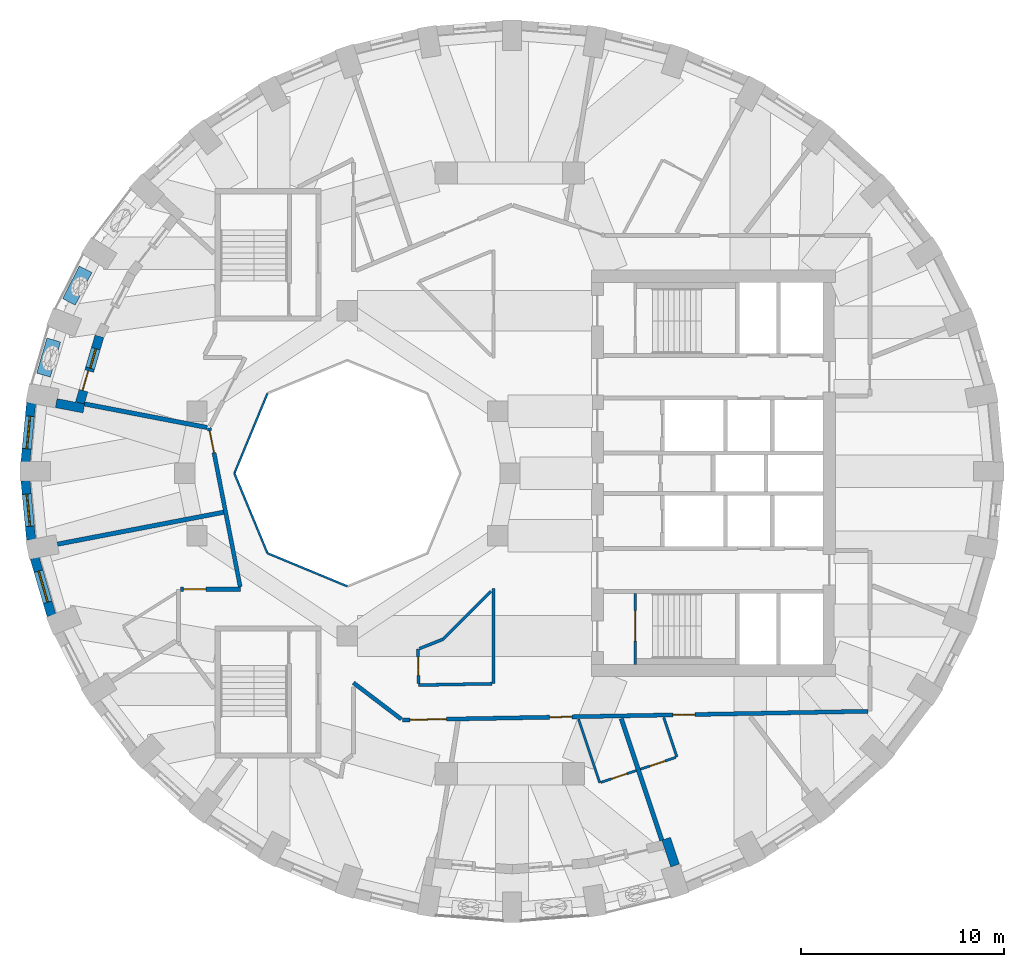
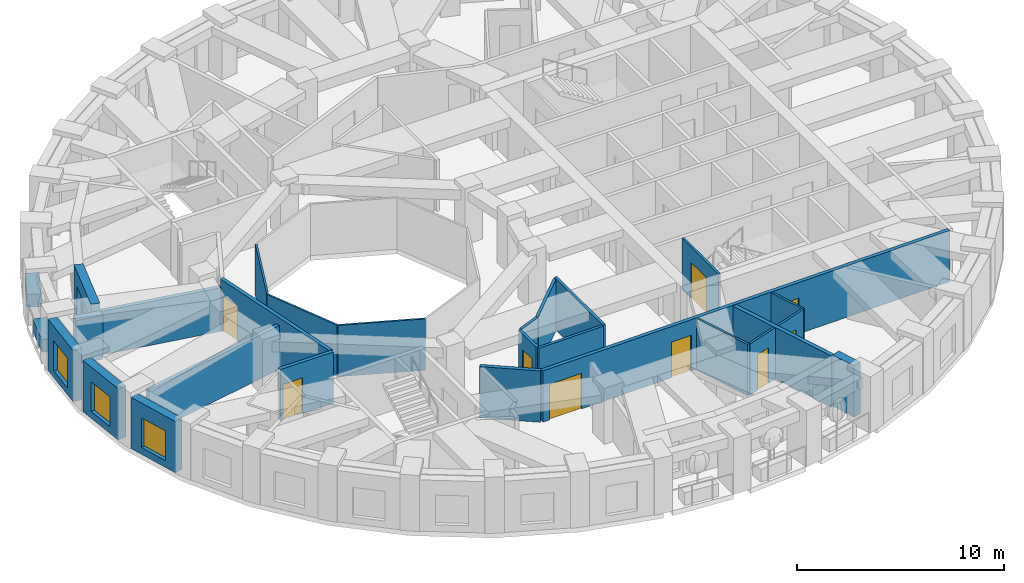
# One storey, part 4 of 11: 28 walls, 10 doors, 4 windows, 14 openings.
"""IFC4 building model written with IfcOpenShell, lengths in metres."""

from ifc_helpers import new_model, si_unit, direction, frame, frame_2d, origin, place, context, subcontext, project, spatial, rectangle, extrude, material, layer, layer_set, constituent, constituent_set, type_object, element, fill, save


model = new_model("IFC4")

# Units and contexts
model_context = context("Model", 3, precision=1e-05, world=origin(), true_north=direction((0.0, 1.0)))
body_context = subcontext(model_context, "Body", "Model", "MODEL_VIEW")
ifc_project = project(units=[si_unit("LENGTHUNIT", "METRE"), si_unit("AREAUNIT", "SQUARE_METRE"), si_unit("VOLUMEUNIT", "CUBIC_METRE"), si_unit("PLANEANGLEUNIT", "RADIAN"), si_unit("MASSUNIT", "GRAM", prefix="KILO")], contexts=[model_context])

# Site, building, storey
site_placement = place(None, origin())
site = spatial("IfcSite", under=ifc_project, at=site_placement, CompositionType="ELEMENT")
building_placement = place(site_placement, origin())
building = spatial("IfcBuilding", under=site, at=building_placement, Name="Taillehof Tower", CompositionType="ELEMENT")
storey_placement = place(building_placement, frame((0.0, 0.0, 158.300048828125)))
storey = spatial("IfcBuildingStorey", under=building, at=storey_placement, Name="L44", CompositionType="ELEMENT", Elevation=158.300048828125)

# Walls
ifc_material_1 = material(Name="Fire-resisting glass in steel frame", Category="steel")
ifc_layer_1 = layer(ifc_material_1, 0.10009765625)
ifc_layer_set_1 = layer_set([ifc_layer_1], Name="Atrium fire-resisting screen EI 60 100")
wall_type_1 = type_object("IfcWallType", Name="Atrium fire-resisting screen EI 60 100", PredefinedType="PARTITIONING", material=ifc_layer_set_1)
for number, where, z_axis, x_axis, name in (
    (1, (-8.0, -5.55419921875, 0.0), (0.0, 0.0, 1.0), (-0.923860025149, 0.382730523909, 0.0), "Atrium screen"),
    (2, (-11.92724609375, -3.92724609375, 0.0), (0.0, 0.0, 1.0), (-0.382730523909, 0.923860025149, 0.0), "Atrium screen"),
    (3, (-13.55419921875, 0.0, 0.0), (0.0, 0.0, 1.0), (0.382730523909, 0.923860025149, 0.0), "Atrium screen"),
):
    element("IfcWall", number, at=place(storey_placement, frame(where, z_axis=z_axis, x_axis=x_axis)), inside=storey, type_object=wall_type_1, Name=name, PredefinedType="PARTITIONING", context=body_context, shape_type="SweptSolid", body=[
        extrude(rectangle(XDim=4.2509765625, YDim=0.10009765625, at=frame_2d((2.12548828125, 0.0))), origin(), (0.0, 0.0, 1.0), 3.02001953125),
    ])

# Wall, opening, window
ifc_material_2 = material(Name="Brick masonry", Category="masonry")
ifc_layer_2 = layer(ifc_material_2, 0.449951171875)
ifc_layer_set_2 = layer_set([ifc_layer_2], Name="Brick infill wall 450")
wall_type_2 = type_object("IfcWallType", Name="Brick infill wall 450", PredefinedType="SOLIDWALL", material=ifc_layer_set_2)
wall_1_placement = place(storey_placement, frame((-23.5517578125, 3.468505859375, 0.0), z_axis=(0.0, 0.0, 1.0), x_axis=(-0.095265737322, -0.995451876935, 0.0)))
wall_1 = element("IfcWall", 4, at=wall_1_placement, inside=storey, type_object=wall_type_2, Name="Brick wall L44 bay 18", PredefinedType="SOLIDWALL", context=body_context, shape_type="SweptSolid", body=[
    extrude(rectangle(XDim=2.9267578125, YDim=0.449951171875, at=frame_2d((1.46337890625, 0.0))), origin(), (0.0, 0.0, 1.0), 3.02001953125),
])
opening_1_placement = place(wall_1_placement, frame((0.663330078125, 0.0, 0.39990234375)))
opening_1 = element("IfcOpeningElement", 5, at=opening_1_placement, cuts=wall_1, Name="Opening W3", PredefinedType="OPENING", context=body_context, shape_type="SweptSolid", body=[
    extrude(rectangle(XDim=1.60009765625, YDim=1.75, at=frame_2d((0.800048828125, 0.875))), frame((0.0, 0.23486328125, 0.0), z_axis=(0.0, -1.0, 0.0), x_axis=(1.0, 0.0, 0.0)), (0.0, 0.0, 1.0), 0.469970703125),
])
ifc_material_3 = material(Name="Aluminium window frame with clear double glazing", Category="aluminium")
window_type_1 = type_object("IfcWindowType", Name="Deep-set window 1600x1750", PartitioningType="SINGLE_PANEL", PredefinedType="WINDOW", material=ifc_material_3)
window_1_placement = place(opening_1_placement, origin())
window_1 = element("IfcWindow", 6, at=window_1_placement, inside=storey, type_object=window_type_1, Name="W3", OverallHeight=1.75, OverallWidth=1.60009765625, PartitioningType="SINGLE_PANEL", PredefinedType="WINDOW", context=body_context, shape_type="SweptSolid", body=[
    extrude(rectangle(XDim=1.60009765625, YDim=1.75, at=frame_2d((0.800048828125, 0.875))), frame((0.0, 0.034912109375, 0.0), z_axis=(0.0, -1.0, 0.0), x_axis=(1.0, 0.0, 0.0)), (0.0, 0.0, 1.0), 0.06005859375),
])
fill(opening_1, window_1)

wall_2_placement = place(storey_placement, frame((-23.83056640625, -0.35498046875, 0.0), z_axis=(0.0, 0.0, 1.0), x_axis=(0.095257827044, -0.995452633924, 0.0)))
wall_2 = element("IfcWall", 7, at=wall_2_placement, inside=storey, type_object=wall_type_2, Name="Brick wall L44 bay 19", PredefinedType="SOLIDWALL", context=body_context, shape_type="SweptSolid", body=[
    extrude(rectangle(XDim=2.927001953125, YDim=0.449951171875, at=frame_2d((1.46337890625, 0.0))), origin(), (0.0, 0.0, 1.0), 3.02001953125),
])
opening_2_placement = place(wall_2_placement, frame((0.663330078125, 0.0, 0.39990234375)))
opening_2 = element("IfcOpeningElement", 8, at=opening_2_placement, cuts=wall_2, Name="Opening W3", PredefinedType="OPENING", context=body_context, shape_type="SweptSolid", body=[
    extrude(rectangle(XDim=1.60009765625, YDim=1.75, at=frame_2d((0.800048828125, 0.875))), frame((0.0, 0.23486328125, 0.0), z_axis=(0.0, -1.0, 0.0), x_axis=(1.0, 0.0, 0.0)), (0.0, 0.0, 1.0), 0.469970703125),
])
window_2_placement = place(opening_2_placement, origin())
window_2 = element("IfcWindow", 9, at=window_2_placement, inside=storey, type_object=window_type_1, Name="W3", OverallHeight=1.75, OverallWidth=1.60009765625, PartitioningType="SINGLE_PANEL", PredefinedType="WINDOW", context=body_context, shape_type="SweptSolid", body=[
    extrude(rectangle(XDim=1.60009765625, YDim=1.75, at=frame_2d((0.800048828125, 0.875))), frame((0.0, 0.034912109375, 0.0), z_axis=(0.0, -1.0, 0.0), x_axis=(1.0, 0.0, 0.0)), (0.0, 0.0, 1.0), 0.06005859375),
])
fill(opening_2, window_2)

wall_3_placement = place(storey_placement, frame((-23.3798828125, -4.162353515625, 0.0), z_axis=(0.0, 0.0, 1.0), x_axis=(0.281125768296, -0.959670934435, 0.0)))
wall_3 = element("IfcWall", 10, at=wall_3_placement, inside=storey, type_object=wall_type_2, Name="Brick wall L44 bay 20", PredefinedType="SOLIDWALL", context=body_context, shape_type="SweptSolid", body=[
    extrude(rectangle(XDim=2.947509765625, YDim=0.449951171875, at=frame_2d((1.4736328125, 0.0))), origin(), (0.0, 0.0, 1.0), 3.02001953125),
])
opening_3_placement = place(wall_3_placement, frame((0.673583984375, 0.0, 0.39990234375)))
opening_3 = element("IfcOpeningElement", 11, at=opening_3_placement, cuts=wall_3, Name="Opening W3", PredefinedType="OPENING", context=body_context, shape_type="SweptSolid", body=[
    extrude(rectangle(XDim=1.60009765625, YDim=1.75, at=frame_2d((0.800048828125, 0.875))), frame((0.0, 0.23486328125, 0.0), z_axis=(0.0, -1.0, 0.0), x_axis=(1.0, 0.0, 0.0)), (0.0, 0.0, 1.0), 0.469970703125),
])
window_3_placement = place(opening_3_placement, origin())
window_3 = element("IfcWindow", 12, at=window_3_placement, inside=storey, type_object=window_type_1, Name="W3", OverallHeight=1.75, OverallWidth=1.60009765625, PartitioningType="SINGLE_PANEL", PredefinedType="WINDOW", context=body_context, shape_type="SweptSolid", body=[
    extrude(rectangle(XDim=1.60009765625, YDim=1.75, at=frame_2d((0.800048828125, 0.875))), frame((0.0, 0.034912109375, 0.0), z_axis=(0.0, -1.0, 0.0), x_axis=(1.0, 0.0, 0.0)), (0.0, 0.0, 1.0), 0.06005859375),
])
fill(opening_3, window_3)

# Walls
wall_4_placement = place(storey_placement, frame((8.12158203125, -19.286376953125, 0.0), z_axis=(0.0, 0.0, 1.0), x_axis=(-0.316649231286, 0.948542705589, 0.0)))
element("IfcWall", 13, at=wall_4_placement, inside=storey, type_object=wall_type_2, Name="Brick reveal L44 pocket 8", PredefinedType="SOLIDWALL", context=body_context, shape_type="SweptSolid", body=[
    extrude(rectangle(XDim=1.39013671875, YDim=0.449951171875, at=frame_2d((0.695068359375, 0.0))), origin(), (0.0, 0.0, 1.0), 3.02001953125),
])
wall_5_placement = place(storey_placement, frame((-22.321533203125, 3.45458984375, 0.0), z_axis=(0.0, 0.0, 1.0), x_axis=(0.982051513278, -0.188612897936, 0.0)))
element("IfcWall", 14, at=wall_5_placement, inside=storey, type_object=wall_type_2, Name="Brick reveal L44 pocket 4", PredefinedType="SOLIDWALL", context=body_context, shape_type="SweptSolid", body=[
    extrude(rectangle(XDim=1.39013671875, YDim=0.449951171875, at=frame_2d((0.695068359375, 0.0))), origin(), (0.0, 0.0, 1.0), 2.570068359375),
])

# Wall, openings, door, window
wall_6_placement = place(storey_placement, frame((-20.19384765625, 6.74462890625, 0.0), z_axis=(0.0, 0.0, 1.0), x_axis=(-0.280397139934, -0.959884078375, 0.0)))
wall_6 = element("IfcWall", 15, at=wall_6_placement, inside=storey, type_object=wall_type_2, Name="Brick wall L44 pocket bay 17", PredefinedType="SOLIDWALL", context=body_context, shape_type="SweptSolid", body=[
    extrude(rectangle(XDim=3.422607421875, YDim=0.449951171875, at=frame_2d((1.71142578125, 0.0))), origin(), (0.0, 0.0, 1.0), 3.02001953125),
])
opening_4_placement = place(wall_6_placement, frame((0.63623046875, 0.0, 0.39990234375)))
opening_4 = element("IfcOpeningElement", 16, at=opening_4_placement, cuts=wall_6, Name="Opening W5", PredefinedType="OPENING", context=body_context, shape_type="SweptSolid", body=[
    extrude(rectangle(XDim=1.0, YDim=1.75, at=frame_2d((0.5, 0.875))), frame((0.0, 0.23486328125, 0.0), z_axis=(0.0, -1.0, 0.0), x_axis=(1.0, 0.0, 0.0)), (0.0, 0.0, 1.0), 0.469970703125),
])
opening_5_placement = place(wall_6_placement, frame((1.786376953125, 0.0, 0.0)))
opening_5 = element("IfcOpeningElement", 17, at=opening_5_placement, cuts=wall_6, Name="Opening D4496", PredefinedType="OPENING", context=body_context, shape_type="SweptSolid", body=[
    extrude(rectangle(XDim=1.0, YDim=2.14990234375, at=frame_2d((0.5, 1.074951171875))), frame((0.0, 0.23486328125, 0.0), z_axis=(0.0, -1.0, 0.0), x_axis=(1.0, 0.0, 0.0)), (0.0, 0.0, 1.0), 0.469970703125),
])
ifc_material_4 = material(Name="Aluminium door frame with clear double glazing", Category="aluminium")
door_type_1 = type_object("IfcDoorType", Name="Balcony door 1000x2150", OperationType="SINGLE_SWING_RIGHT", PredefinedType="DOOR", material=ifc_material_4)
door_1_placement = place(opening_5_placement, frame((1.0, 0.0, 0.0), z_axis=(0.0, 0.0, 1.0), x_axis=(-1.0, 0.0, 0.0)))
door_1 = element("IfcDoor", 18, at=door_1_placement, inside=storey, type_object=door_type_1, Name="Balcony door L44 bay 17", OperationType="SINGLE_SWING_LEFT", OverallHeight=2.14990234375, OverallWidth=1.0, PredefinedType="DOOR", context=body_context, shape_type="SweptSolid", body=[
    extrude(rectangle(XDim=1.0, YDim=2.14990234375, at=frame_2d((0.5, 1.074951171875))), frame((0.0, 0.0751953125, 0.0), z_axis=(0.0, -1.0, 0.0), x_axis=(1.0, 0.0, 0.0)), (0.0, 0.0, 1.0), 0.050048828125),
])
fill(opening_5, door_1)
ifc_material_5 = material(Name="Aluminium window frame with clear double glazing", Category="aluminium")
window_type_2 = type_object("IfcWindowType", Name="Fixed window 1000x1750", PartitioningType="SINGLE_PANEL", PredefinedType="WINDOW", material=ifc_material_5)
window_4_placement = place(opening_4_placement, origin())
window_4 = element("IfcWindow", 19, at=window_4_placement, inside=storey, type_object=window_type_2, Name="W5", OverallHeight=1.75, OverallWidth=1.0, PartitioningType="SINGLE_PANEL", PredefinedType="WINDOW", context=body_context, shape_type="SweptSolid", body=[
    extrude(rectangle(XDim=1.0, YDim=1.75, at=frame_2d((0.5, 0.875))), frame((0.0, 0.034912109375, 0.0), z_axis=(0.0, -1.0, 0.0), x_axis=(1.0, 0.0, 0.0)), (0.0, 0.0, 1.0), 0.06005859375),
])
fill(opening_4, window_4)

# Wall, openings, doors
ifc_material_6 = material(Name="Gypsum board on steel studs, two layers each side", Category="steel")
ifc_layer_3 = layer(ifc_material_6, 0.199951171875)
ifc_layer_set_3 = layer_set([ifc_layer_3], Name="Compartment wall corridor 200")
wall_type_3 = type_object("IfcWallType", Name="Compartment wall corridor 200", PredefinedType="PARTITIONING", material=ifc_layer_set_3)
wall_7_placement = place(storey_placement, frame((17.599853515625, -11.702392578125, 0.0), z_axis=(0.0, 0.0, 1.0), x_axis=(-0.999825923551, -0.018658043723, 0.0)))
wall_7 = element("IfcWall", 20, at=wall_7_placement, inside=storey, type_object=wall_type_3, Name="Compartment wall", PredefinedType="PARTITIONING", context=body_context, shape_type="SweptSolid", body=[
    extrude(rectangle(XDim=22.898681640625, YDim=0.199951171875, at=frame_2d((11.44921875, 0.0))), origin(), (0.0, 0.0, 1.0), 3.02001953125),
])
opening_6_placement = place(wall_7_placement, frame((20.728759765625, 0.0, 0.0)))
opening_6 = element("IfcOpeningElement", 21, at=opening_6_placement, cuts=wall_7, Name="Opening D4451", PredefinedType="OPENING", context=body_context, shape_type="SweptSolid", body=[
    extrude(rectangle(XDim=1.800048828125, YDim=2.10009765625, at=frame_2d((0.89990234375, 1.050048828125))), frame((0.0, 0.10986328125, 0.0), z_axis=(0.0, -1.0, 0.0), x_axis=(1.0, 0.0, 0.0)), (0.0, 0.0, 1.0), 0.219970703125),
])
opening_7_placement = place(wall_7_placement, frame((14.55419921875, 0.0, 0.0)))
opening_7 = element("IfcOpeningElement", 22, at=opening_7_placement, cuts=wall_7, Name="Opening D4452", PredefinedType="OPENING", context=body_context, shape_type="SweptSolid", body=[
    extrude(rectangle(XDim=1.10009765625, YDim=2.10009765625, at=frame_2d((0.550048828125, 1.050048828125))), frame((0.0, 0.10986328125, 0.0), z_axis=(0.0, -1.0, 0.0), x_axis=(1.0, 0.0, 0.0)), (0.0, 0.0, 1.0), 0.219970703125),
])
opening_8_placement = place(wall_7_placement, frame((8.4912109375, 0.0, 0.0)))
opening_8 = element("IfcOpeningElement", 23, at=opening_8_placement, cuts=wall_7, Name="Opening D4454", PredefinedType="OPENING", context=body_context, shape_type="SweptSolid", body=[
    extrude(rectangle(XDim=1.10009765625, YDim=2.10009765625, at=frame_2d((0.550048828125, 1.050048828125))), frame((0.0, 0.10986328125, 0.0), z_axis=(0.0, -1.0, 0.0), x_axis=(1.0, 0.0, 0.0)), (0.0, 0.0, 1.0), 0.219970703125),
])
ifc_material_7 = material(Name="Timber door leaf in steel frame", Category="steel")
door_type_2 = type_object("IfcDoorType", Name="Lounge and meeting room double door EI 30 1800 x 2100", OperationType="SINGLE_SWING_LEFT", PredefinedType="DOOR", material=ifc_material_7)
door_2_placement = place(opening_6_placement, origin())
door_2 = element("IfcDoor", 24, at=door_2_placement, inside=storey, type_object=door_type_2, Name="D4451", OperationType="DOUBLE_DOOR_SINGLE_SWING", OverallHeight=2.10009765625, OverallWidth=1.800048828125, PredefinedType="DOOR", context=body_context, shape_type="SweptSolid", body=[
    extrude(rectangle(XDim=1.800048828125, YDim=2.10009765625, at=frame_2d((0.89990234375, 1.050048828125))), frame((0.0, 0.02490234375, 0.0), z_axis=(0.0, -1.0, 0.0), x_axis=(1.0, 0.0, 0.0)), (0.0, 0.0, 1.0), 0.050048828125),
])
fill(opening_6, door_2)
ifc_material_8 = material(Name="Timber door leaf in steel frame", Category="steel")
door_type_3 = type_object("IfcDoorType", Name="Suite entrance door EI 30 1100 x 2100", OperationType="SINGLE_SWING_LEFT", PredefinedType="DOOR", material=ifc_material_8)
door_3_placement = place(opening_7_placement, origin())
door_3 = element("IfcDoor", 25, at=door_3_placement, inside=storey, type_object=door_type_3, Name="D4452", OperationType="SINGLE_SWING_LEFT", OverallHeight=2.10009765625, OverallWidth=1.10009765625, PredefinedType="DOOR", context=body_context, shape_type="SweptSolid", body=[
    extrude(rectangle(XDim=1.10009765625, YDim=2.10009765625, at=frame_2d((0.550048828125, 1.050048828125))), frame((0.0, 0.02490234375, 0.0), z_axis=(0.0, -1.0, 0.0), x_axis=(1.0, 0.0, 0.0)), (0.0, 0.0, 1.0), 0.050048828125),
])
fill(opening_7, door_3)
door_4_placement = place(opening_8_placement, origin())
door_4 = element("IfcDoor", 26, at=door_4_placement, inside=storey, type_object=door_type_3, Name="D4454", OperationType="SINGLE_SWING_RIGHT", OverallHeight=2.10009765625, OverallWidth=1.10009765625, PredefinedType="DOOR", context=body_context, shape_type="SweptSolid", body=[
    extrude(rectangle(XDim=1.10009765625, YDim=2.10009765625, at=frame_2d((0.550048828125, 1.050048828125))), frame((0.0, 0.02490234375, 0.0), z_axis=(0.0, -1.0, 0.0), x_axis=(1.0, 0.0, 0.0)), (0.0, 0.0, 1.0), 0.050048828125),
])
fill(opening_8, door_4)

# Wall
wall_8_placement = place(storey_placement, frame((-5.342529296875, -12.093017578125, 0.0), z_axis=(0.0, 0.0, 1.0), x_axis=(-0.796104996328, 0.605158520407, 0.0)))
element("IfcWall", 27, at=wall_8_placement, inside=storey, type_object=wall_type_3, Name="Compartment wall", PredefinedType="PARTITIONING", context=body_context, shape_type="SweptSolid", body=[
    extrude(rectangle(XDim=2.961181640625, YDim=0.199951171875, at=frame_2d((1.48046875, 0.0))), origin(), (0.0, 0.0, 1.0), 3.02001953125),
])

# Wall, opening, door
wall_9_placement = place(storey_placement, frame((-16.199951171875, -5.699951171875, 0.0), z_axis=(0.0, 0.0, 1.0), x_axis=(1.0, 0.0, 0.0)))
wall_9 = element("IfcWall", 28, at=wall_9_placement, inside=storey, type_object=wall_type_3, Name="Compartment wall", PredefinedType="PARTITIONING", context=body_context, shape_type="SweptSolid", body=[
    extrude(rectangle(XDim=2.955322265625, YDim=0.199951171875, at=frame_2d((1.4775390625, 0.0))), origin(), (0.0, 0.0, 1.0), 3.02001953125),
])
opening_9_placement = place(wall_9_placement, frame((0.139892578125, 0.0, 0.0)))
opening_9 = element("IfcOpeningElement", 29, at=opening_9_placement, cuts=wall_9, Name="Opening D4448", PredefinedType="OPENING", context=body_context, shape_type="SweptSolid", body=[
    extrude(rectangle(XDim=1.10009765625, YDim=2.10009765625, at=frame_2d((0.550048828125, 1.050048828125))), frame((0.0, 0.10986328125, 0.0), z_axis=(0.0, -1.0, 0.0), x_axis=(1.0, 0.0, 0.0)), (0.0, 0.0, 1.0), 0.219970703125),
])
door_5_placement = place(opening_9_placement, origin())
door_5 = element("IfcDoor", 30, at=door_5_placement, inside=storey, type_object=door_type_3, Name="D4448", OperationType="SINGLE_SWING_RIGHT", OverallHeight=2.10009765625, OverallWidth=1.10009765625, PredefinedType="DOOR", context=body_context, shape_type="SweptSolid", body=[
    extrude(rectangle(XDim=1.10009765625, YDim=2.10009765625, at=frame_2d((0.550048828125, 1.050048828125))), frame((0.0, 0.02490234375, 0.0), z_axis=(0.0, -1.0, 0.0), x_axis=(1.0, 0.0, 0.0)), (0.0, 0.0, 1.0), 0.050048828125),
])
fill(opening_9, door_5)

wall_10_placement = place(storey_placement, frame((-13.26806640625, -5.582763671875, 0.0), z_axis=(0.0, 0.0, 1.0), x_axis=(-0.191747927029, 0.981444207523, 0.0)))
wall_10 = element("IfcWall", 31, at=wall_10_placement, inside=storey, type_object=wall_type_3, Name="Compartment wall", PredefinedType="PARTITIONING", context=body_context, shape_type="SweptSolid", body=[
    extrude(rectangle(XDim=7.968017578125, YDim=0.199951171875, at=frame_2d((3.98388671875, 0.0))), origin(), (0.0, 0.0, 1.0), 3.02001953125),
])
opening_10_placement = place(wall_10_placement, frame((6.72802734375, 0.0, 0.0)))
opening_10 = element("IfcOpeningElement", 32, at=opening_10_placement, cuts=wall_10, Name="Opening D4447", PredefinedType="OPENING", context=body_context, shape_type="SweptSolid", body=[
    extrude(rectangle(XDim=1.10009765625, YDim=2.10009765625, at=frame_2d((0.550048828125, 1.050048828125))), frame((0.0, 0.10986328125, 0.0), z_axis=(0.0, -1.0, 0.0), x_axis=(1.0, 0.0, 0.0)), (0.0, 0.0, 1.0), 0.219970703125),
])
door_6_placement = place(opening_10_placement, origin())
door_6 = element("IfcDoor", 33, at=door_6_placement, inside=storey, type_object=door_type_3, Name="D4447", OperationType="SINGLE_SWING_RIGHT", OverallHeight=2.10009765625, OverallWidth=1.10009765625, PredefinedType="DOOR", context=body_context, shape_type="SweptSolid", body=[
    extrude(rectangle(XDim=1.10009765625, YDim=2.10009765625, at=frame_2d((0.550048828125, 1.050048828125))), frame((0.0, 0.02490234375, 0.0), z_axis=(0.0, -1.0, 0.0), x_axis=(1.0, 0.0, 0.0)), (0.0, 0.0, 1.0), 0.050048828125),
])
fill(opening_10, door_6)

# Walls
ifc_material_9 = material(Name="Gypsum board on double steel studs with mineral wool", Category="steel")
ifc_layer_4 = layer(ifc_material_9, 0.219970703125)
ifc_layer_set_4 = layer_set([ifc_layer_4], Name="Compartment wall guest room 220")
wall_type_4 = type_object("IfcWallType", Name="Compartment wall guest room 220", PredefinedType="PARTITIONING", material=ifc_layer_set_4)
wall_11_placement = place(storey_placement, frame((-20.931640625, 3.416748046875, 0.0), z_axis=(0.0, 0.0, 1.0), x_axis=(0.9820075798, -0.188841502892, 0.0)))
element("IfcWall", 34, at=wall_11_placement, inside=storey, type_object=wall_type_4, Name="Compartment wall", PredefinedType="PARTITIONING", context=body_context, shape_type="SweptSolid", body=[
    extrude(rectangle(XDim=6.148681640625, YDim=0.219970703125, at=frame_2d((3.07421875, 0.0))), origin(), (0.0, 0.0, 1.0), 2.570068359375),
])
wall_12_placement = place(storey_placement, frame((-22.25732421875, -3.483154296875, 0.0), z_axis=(0.0, 0.0, 1.0), x_axis=(0.982022559039, 0.188763591666, 0.0)))
element("IfcWall", 35, at=wall_12_placement, inside=storey, type_object=wall_type_4, Name="Compartment wall", PredefinedType="PARTITIONING", context=body_context, shape_type="SweptSolid", body=[
    extrude(rectangle(XDim=8.3203125, YDim=0.219970703125, at=frame_2d((4.16015625, 0.0))), origin(), (0.0, 0.0, 1.0), 2.570068359375),
])
wall_13_placement = place(storey_placement, frame((7.473876953125, -18.056396484375, 0.0), z_axis=(0.0, 0.0, 1.0), x_axis=(-0.316714858998, 0.948520794759, 0.0)))
element("IfcWall", 36, at=wall_13_placement, inside=storey, type_object=wall_type_4, Name="Compartment wall", PredefinedType="PARTITIONING", context=body_context, shape_type="SweptSolid", body=[
    extrude(rectangle(XDim=6.31494140625, YDim=0.219970703125, at=frame_2d((3.157470703125, 0.0))), origin(), (0.0, 0.0, 1.0), 3.02001953125),
])
ifc_material_10 = material(Name="Gypsum board on steel studs, two layers each side", Category="steel")
ifc_layer_5 = layer(ifc_material_10, 0.14990234375)
ifc_layer_set_5 = layer_set([ifc_layer_5], Name="Compartment wall service room 150")
wall_type_5 = type_object("IfcWallType", Name="Compartment wall service room 150", PredefinedType="PARTITIONING", material=ifc_layer_set_5)
wall_14_placement = place(storey_placement, frame((-0.800048828125, -5.66943359375, 0.0), z_axis=(0.0, 0.0, 1.0), x_axis=(0.0, -1.0, 0.0)))
element("IfcWall", 37, at=wall_14_placement, inside=storey, type_object=wall_type_5, Name="Compartment wall", PredefinedType="PARTITIONING", context=body_context, shape_type="SweptSolid", body=[
    extrude(rectangle(XDim=4.67578125, YDim=0.14990234375, at=frame_2d((2.337890625, 0.0))), origin(), (0.0, 0.0, 1.0), 3.02001953125),
])
wall_15_placement = place(storey_placement, frame((-0.880126953125, -10.34716796875, 0.0), z_axis=(0.0, 0.0, 1.0), x_axis=(-0.999826791681, -0.018611465199, 0.0)))
element("IfcWall", 38, at=wall_15_placement, inside=storey, type_object=wall_type_5, Name="Compartment wall", PredefinedType="PARTITIONING", context=body_context, shape_type="SweptSolid", body=[
    extrude(rectangle(XDim=3.62060546875, YDim=0.14990234375, at=frame_2d((1.810302734375, 0.0))), origin(), (0.0, 0.0, 1.0), 3.02001953125),
])

# Wall, opening, door
wall_16_placement = place(storey_placement, frame((-4.5009765625, -10.33447265625, 0.0), z_axis=(0.0, 0.0, 1.0), x_axis=(-0.015785981736, 0.999875393627, 0.0)))
wall_16 = element("IfcWall", 39, at=wall_16_placement, inside=storey, type_object=wall_type_5, Name="Compartment wall", PredefinedType="PARTITIONING", context=body_context, shape_type="SweptSolid", body=[
    extrude(rectangle(XDim=1.685791015625, YDim=0.14990234375, at=frame_2d((0.8427734375, 0.0))), origin(), (0.0, 0.0, 1.0), 3.02001953125),
])
opening_11_placement = place(wall_16_placement, frame((0.392822265625, 0.0, 0.0)))
opening_11 = element("IfcOpeningElement", 40, at=opening_11_placement, cuts=wall_16, Name="Opening D4460", PredefinedType="OPENING", context=body_context, shape_type="SweptSolid", body=[
    extrude(rectangle(XDim=0.89990234375, YDim=2.10009765625, at=frame_2d((0.449951171875, 1.050048828125))), frame((0.0, 0.0849609375, 0.0), z_axis=(0.0, -1.0, 0.0), x_axis=(1.0, 0.0, 0.0)), (0.0, 0.0, 1.0), 0.169921875),
])
ifc_material_11 = material(Name="Timber door leaf in steel frame", Category="steel")
door_type_4 = type_object("IfcDoorType", Name="Service room door EI 30 900 x 2100", OperationType="SINGLE_SWING_LEFT", PredefinedType="DOOR", material=ifc_material_11)
door_7_placement = place(opening_11_placement, origin())
door_7 = element("IfcDoor", 41, at=door_7_placement, inside=storey, type_object=door_type_4, Name="D4460", OperationType="SINGLE_SWING_LEFT", OverallHeight=2.10009765625, OverallWidth=0.89990234375, PredefinedType="DOOR", context=body_context, shape_type="SweptSolid", body=[
    extrude(rectangle(XDim=0.89990234375, YDim=2.10009765625, at=frame_2d((0.449951171875, 1.050048828125))), frame((0.0, 0.02490234375, 0.0), z_axis=(0.0, -1.0, 0.0), x_axis=(1.0, 0.0, 0.0)), (0.0, 0.0, 1.0), 0.050048828125),
])
fill(opening_11, door_7)

# Walls
wall_17_placement = place(storey_placement, frame((-4.453369140625, -8.61962890625, 0.0), z_axis=(0.0, 0.0, 1.0), x_axis=(0.929802441214, 0.36805899026, 0.0)))
element("IfcWall", 42, at=wall_17_placement, inside=storey, type_object=wall_type_5, Name="Compartment wall", PredefinedType="PARTITIONING", context=body_context, shape_type="SweptSolid", body=[
    extrude(rectangle(XDim=1.251708984375, YDim=0.14990234375, at=frame_2d((0.6259765625, 0.0))), origin(), (0.0, 0.0, 1.0), 3.02001953125),
])
wall_18_placement = place(storey_placement, frame((-3.275390625, -8.144775390625, 0.0), z_axis=(0.0, 0.0, 1.0), x_axis=(0.707106781187, 0.707106781187, 0.0)))
element("IfcWall", 43, at=wall_18_placement, inside=storey, type_object=wall_type_5, Name="Compartment wall", PredefinedType="PARTITIONING", context=body_context, shape_type="SweptSolid", body=[
    extrude(rectangle(XDim=3.3203125, YDim=0.14990234375, at=frame_2d((1.66015625, 0.0))), origin(), (0.0, 0.0, 1.0), 3.02001953125),
])
ifc_material_12 = material(Name="Gypsum board on steel studs, moisture resistant", Category="steel")
ifc_layer_6 = layer(ifc_material_12, 0.1201171875)
ifc_layer_set_6 = layer_set([ifc_layer_6], Name="En-suite wall 120")
wall_type_6 = type_object("IfcWallType", Name="En-suite wall 120", PredefinedType="PARTITIONING", material=ifc_layer_set_6)
wall_19_placement = place(storey_placement, frame((3.3720703125, -12.0869140625, 0.0), z_axis=(0.0, 0.0, 1.0), x_axis=(0.316715775564, -0.948520488713, 0.0)))
element("IfcWall", 44, at=wall_19_placement, inside=storey, type_object=wall_type_6, Name="En-suite wall", PredefinedType="PARTITIONING", context=body_context, shape_type="SweptSolid", body=[
    extrude(rectangle(XDim=3.301513671875, YDim=0.1201171875, at=frame_2d((1.65087890625, 0.0))), origin(), (0.0, 0.0, 1.0), 3.02001953125),
])
wall_20_placement = place(storey_placement, frame((7.56298828125, -12.008544921875, 0.0), z_axis=(0.0, 0.0, 1.0), x_axis=(0.316763997654, -0.948504385752, 0.0)))
element("IfcWall", 45, at=wall_20_placement, inside=storey, type_object=wall_type_6, Name="En-suite wall", PredefinedType="PARTITIONING", context=body_context, shape_type="SweptSolid", body=[
    extrude(rectangle(XDim=2.048583984375, YDim=0.1201171875, at=frame_2d((1.0244140625, 0.0))), origin(), (0.0, 0.0, 1.0), 3.02001953125),
])

# Wall, opening, door
wall_21_placement = place(storey_placement, frame((4.474853515625, -15.199462890625, 0.0), z_axis=(0.0, 0.0, 1.0), x_axis=(0.948549784176, 0.316628026143, 0.0)))
wall_21 = element("IfcWall", 46, at=wall_21_placement, inside=storey, type_object=wall_type_6, Name="En-suite wall", PredefinedType="PARTITIONING", context=body_context, shape_type="SweptSolid", body=[
    extrude(rectangle(XDim=1.829833984375, YDim=0.1201171875, at=frame_2d((0.9150390625, 0.0))), origin(), (0.0, 0.0, 1.0), 3.02001953125),
])
opening_12_placement = place(wall_21_placement, frame((0.539794921875, 0.0, 0.0)))
opening_12 = element("IfcOpeningElement", 47, at=opening_12_placement, cuts=wall_21, Name="Opening D4453", PredefinedType="OPENING", context=body_context, shape_type="SweptSolid", body=[
    extrude(rectangle(XDim=0.800048828125, YDim=2.10009765625, at=frame_2d((0.39990234375, 1.050048828125))), frame((0.0, 0.070068359375, 0.0), z_axis=(0.0, -1.0, 0.0), x_axis=(1.0, 0.0, 0.0)), (0.0, 0.0, 1.0), 0.14013671875),
])
ifc_material_13 = material(Name="Timber door leaf in steel frame", Category="steel")
door_type_5 = type_object("IfcDoorType", Name="En-suite door 800 x 2100", OperationType="SINGLE_SWING_LEFT", PredefinedType="DOOR", material=ifc_material_13)
door_8_placement = place(opening_12_placement, origin())
door_8 = element("IfcDoor", 48, at=door_8_placement, inside=storey, type_object=door_type_5, Name="D4453", OperationType="SINGLE_SWING_LEFT", OverallHeight=2.10009765625, OverallWidth=0.800048828125, PredefinedType="DOOR", context=body_context, shape_type="SweptSolid", body=[
    extrude(rectangle(XDim=0.800048828125, YDim=2.10009765625, at=frame_2d((0.39990234375, 1.050048828125))), frame((0.0, 0.02490234375, 0.0), z_axis=(0.0, -1.0, 0.0), x_axis=(1.0, 0.0, 0.0)), (0.0, 0.0, 1.0), 0.050048828125),
])
fill(opening_12, door_8)

wall_22_placement = place(storey_placement, frame((8.155029296875, -13.970703125, 0.0), z_axis=(0.0, 0.0, 1.0), x_axis=(-0.9485230882, -0.31670799035, 0.0)))
wall_22 = element("IfcWall", 49, at=wall_22_placement, inside=storey, type_object=wall_type_6, Name="En-suite wall", PredefinedType="PARTITIONING", context=body_context, shape_type="SweptSolid", body=[
    extrude(rectangle(XDim=1.830078125, YDim=0.1201171875, at=frame_2d((0.9150390625, 0.0))), origin(), (0.0, 0.0, 1.0), 3.02001953125),
])
opening_13_placement = place(wall_22_placement, frame((0.5400390625, 0.0, 0.0)))
opening_13 = element("IfcOpeningElement", 50, at=opening_13_placement, cuts=wall_22, Name="Opening D4455", PredefinedType="OPENING", context=body_context, shape_type="SweptSolid", body=[
    extrude(rectangle(XDim=0.800048828125, YDim=2.10009765625, at=frame_2d((0.39990234375, 1.050048828125))), frame((0.0, 0.070068359375, 0.0), z_axis=(0.0, -1.0, 0.0), x_axis=(1.0, 0.0, 0.0)), (0.0, 0.0, 1.0), 0.14013671875),
])
door_9_placement = place(opening_13_placement, origin())
door_9 = element("IfcDoor", 51, at=door_9_placement, inside=storey, type_object=door_type_5, Name="D4455", OperationType="SINGLE_SWING_RIGHT", OverallHeight=2.10009765625, OverallWidth=0.800048828125, PredefinedType="DOOR", context=body_context, shape_type="SweptSolid", body=[
    extrude(rectangle(XDim=0.800048828125, YDim=2.10009765625, at=frame_2d((0.39990234375, 1.050048828125))), frame((0.0, 0.02490234375, 0.0), z_axis=(0.0, -1.0, 0.0), x_axis=(1.0, 0.0, 0.0)), (0.0, 0.0, 1.0), 0.050048828125),
])
fill(opening_13, door_9)

# Walls
ifc_material_14 = material(Name="Concrete C30/37 precast", Category="concrete")
ifc_constituent_1 = constituent(ifc_material_14, Name="Structure", Category="concrete")
ifc_material_15 = material(Name="Insulated lining")
ifc_constituent_2 = constituent(ifc_material_15, Name="Lining")
ifc_constituent_set = constituent_set(constituents=[ifc_constituent_1, ifc_constituent_2], Name="Planter trough 700x750")
wall_type_7 = type_object("IfcWallType", Name="Planter trough 700x750", PredefinedType="USERDEFINED", material=ifc_constituent_set)
wall_23_placement = place(storey_placement, frame((-20.874755859375, 10.0390625, 0.0), z_axis=(0.0, 0.0, 1.0), x_axis=(-0.454090347167, -0.890955642336, 0.0)))
element("IfcWall", 52, at=wall_23_placement, inside=storey, type_object=wall_type_7, Name="Planter L44 bay 16", ObjectType="PLANTER", PredefinedType="USERDEFINED", context=body_context, shape_type="SweptSolid", body=[
    extrude(rectangle(XDim=1.800048828125, YDim=0.699951171875, at=frame_2d((0.89990234375, 0.0))), origin(), (0.0, 0.0, 1.0), 0.75),
])
wall_24_placement = place(storey_placement, frame((-22.439208984375, 6.56005859375, 0.0), z_axis=(0.0, 0.0, 1.0), x_axis=(-0.281057212968, -0.959691014358, 0.0)))
element("IfcWall", 53, at=wall_24_placement, inside=storey, type_object=wall_type_7, Name="Planter L44 bay 17", ObjectType="PLANTER", PredefinedType="USERDEFINED", context=body_context, shape_type="SweptSolid", body=[
    extrude(rectangle(XDim=1.7998046875, YDim=0.699951171875, at=frame_2d((0.89990234375, 0.0))), origin(), (0.0, 0.0, 1.0), 0.75),
])

# Wall, opening, door
ifc_material_16 = material(Name="Concrete C50/60", Category="concrete")
ifc_layer_7 = layer(ifc_material_16, 0.1201171875)
ifc_layer_set_7 = layer_set([ifc_layer_7], Name="Stair lobby wall C50/60 120")
wall_type_8 = type_object("IfcWallType", Name="Stair lobby wall C50/60 120", PredefinedType="SHEAR", material=ifc_layer_set_7)
wall_25_placement = place(storey_placement, frame((6.159912109375, -9.39990234375, 0.0), z_axis=(0.0, 0.0, 1.0), x_axis=(0.0, 1.0, 0.0)))
wall_25 = element("IfcWall", 54, at=wall_25_placement, inside=storey, type_object=wall_type_8, Name="Compartment wall SW", PredefinedType="SHEAR", context=body_context, shape_type="SweptSolid", body=[
    extrude(rectangle(XDim=3.5, YDim=0.1201171875, at=frame_2d((1.75, 0.0))), origin(), (0.0, 0.0, 1.0), 3.02001953125),
])
opening_14_placement = place(wall_25_placement, frame((1.14990234375, 0.0, 0.0)))
opening_14 = element("IfcOpeningElement", 55, at=opening_14_placement, cuts=wall_25, Name="Opening D4411", PredefinedType="OPENING", context=body_context, shape_type="SweptSolid", body=[
    extrude(rectangle(XDim=1.5, YDim=2.10009765625, at=frame_2d((0.75, 1.050048828125))), frame((0.0, 0.070068359375, 0.0), z_axis=(0.0, -1.0, 0.0), x_axis=(1.0, 0.0, 0.0)), (0.0, 0.0, 1.0), 0.14013671875),
])
ifc_material_17 = material(Name="Steel-faced fire door", Category="steel")
door_type_6 = type_object("IfcDoorType", Name="Stair door 1500x2100", OperationType="DOUBLE_DOOR_SINGLE_SWING", PredefinedType="DOOR", material=ifc_material_17)
door_10_placement = place(opening_14_placement, origin())
door_10 = element("IfcDoor", 56, at=door_10_placement, inside=storey, type_object=door_type_6, Name="Stair lobby door S2", OperationType="DOUBLE_DOOR_SINGLE_SWING", OverallHeight=2.10009765625, OverallWidth=1.5, PredefinedType="DOOR", context=body_context, shape_type="SweptSolid", body=[
    extrude(rectangle(XDim=1.5, YDim=2.10009765625, at=frame_2d((0.75, 1.050048828125))), frame((0.0, 0.02490234375, 0.0), z_axis=(0.0, -1.0, 0.0), x_axis=(1.0, 0.0, 0.0)), (0.0, 0.0, 1.0), 0.050048828125),
])
fill(opening_14, door_10)

save(model, "model.ifc")
